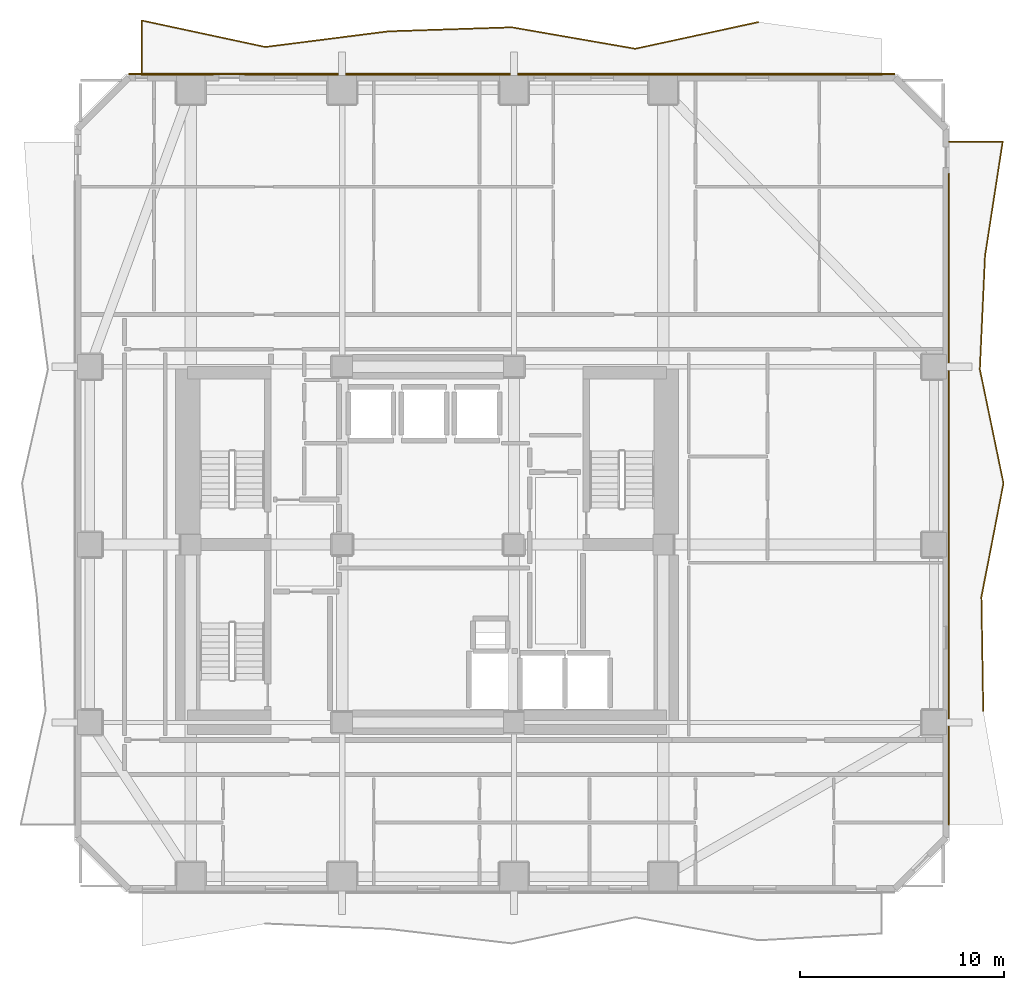
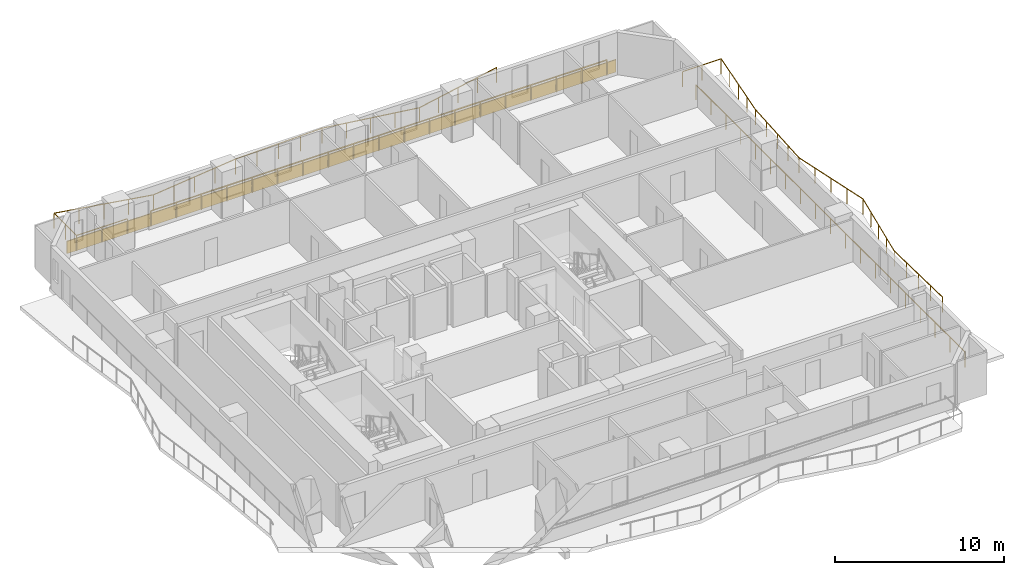
# One storey, part 11 of 11: 4 railings, 1 covering.
"""IFC4 building model written with IfcOpenShell, lengths in metres."""

from ifc_helpers import new_model, si_unit, direction, frame, frame_2d, origin, origin_2d, place, context, subcontext, project, spatial, rectangle, extrude, material, layer, layer_set, type_object, element, save


model = new_model("IFC4")

# Units and contexts
model_context = context("Model", 3, precision=1e-05, world=origin(), true_north=direction((0.0, 1.0)))
body_context = subcontext(model_context, "Body", "Model", "MODEL_VIEW")
ifc_project = project(units=[si_unit("LENGTHUNIT", "METRE"), si_unit("AREAUNIT", "SQUARE_METRE"), si_unit("VOLUMEUNIT", "CUBIC_METRE"), si_unit("PLANEANGLEUNIT", "RADIAN"), si_unit("MASSUNIT", "GRAM", prefix="KILO")], contexts=[model_context])

# Site, building, storey
site_placement = place(None, origin())
site = spatial("IfcSite", under=ifc_project, at=site_placement, CompositionType="ELEMENT")
building_placement = place(site_placement, origin())
building = spatial("IfcBuilding", under=site, at=building_placement, Name="Solanera Arch Residences", CompositionType="ELEMENT")
storey_placement = place(building_placement, frame((0.0, 0.0, 75.1201171875)))
storey = spatial("IfcBuildingStorey", under=building, at=storey_placement, Name="L21", CompositionType="ELEMENT", Elevation=75.1201171875)

# Railings
ifc_material_1 = material(Name="Steel S355 (ASTM A992 / A572 Grade 50)", Category="steel")
railing_type = type_object("IfcRailingType", Name="Balustrade Railing BL-1100", PredefinedType="BALUSTRADE", material=ifc_material_1)
railing_1_placement = place(storey_placement, frame((41.1669921875, 56.259033203125, 0.0)))
element("IfcRailing", 1, at=railing_1_placement, inside=storey, type_object=railing_type, Name="L21 N Balcony Balustrade 1", PredefinedType="BALUSTRADE", context=body_context, shape_type="SweptSolid", body=[
    extrude(rectangle(XDim=0.048095703125, YDim=0.048095703125, at=origin_2d()), frame((0.0, 0.0, 1.09619140625), z_axis=(-0.977404229313, -0.211378741885, 0.0), x_axis=(0.211378741885, -0.977404229313, 0.0)), (0.0, 0.0, 1.0), 6.17333984375),
    extrude(rectangle(XDim=0.048095703125, YDim=0.048095703125, at=origin_2d()), frame((-6.033935546875, -1.304931640625, 1.09619140625), z_axis=(-0.98522228736, 0.171280601615, 0.0), x_axis=(-0.171280601615, -0.98522228736, 0.0)), (0.0, 0.0, 1.0), 6.12353515625),
    extrude(rectangle(XDim=0.048095703125, YDim=0.048095703125, at=origin_2d()), frame((-12.06689453125, -0.256103515625, 1.09619140625), z_axis=(-0.999467212416, -0.0326388006, 0.0), x_axis=(0.0326388006, -0.999467212416, 0.0)), (0.0, 0.0, 1.0), 6.036376953125),
    extrude(rectangle(XDim=0.048095703125, YDim=0.048095703125, at=origin_2d()), frame((-18.10009765625, -0.453125, 1.09619140625), z_axis=(-0.99204081397, -0.125916732083, 0.0), x_axis=(0.125916732083, -0.99204081397, 0.0)), (0.0, 0.0, 1.0), 6.082275390625),
    extrude(rectangle(XDim=0.048095703125, YDim=0.048095703125, at=origin_2d()), frame((-24.134033203125, -1.218994140625, 1.09619140625), z_axis=(-0.977763601424, 0.209710132635, 0.0), x_axis=(-0.209710132635, -0.977763601424, 0.0)), (0.0, 0.0, 1.0), 6.170166015625),
    extrude(rectangle(XDim=0.048095703125, YDim=0.048095703125, at=origin_2d()), frame((-30.1669921875, 0.074951171875, 1.09619140625), z_axis=(0.0, -1.0, 0.0), x_axis=(1.0, 0.0, 0.0)), (0.0, 0.0, 1.0), 2.654052734375),
    extrude(rectangle(XDim=0.048095703125, YDim=0.048095703125, at=origin_2d()), frame((-30.1669921875, -2.5791015625, 1.09619140625), z_axis=(1.0, 0.0, 0.0), x_axis=(0.0, 1.0, 0.0)), (0.0, 0.0, 1.0), 3.468017578125),
    extrude(rectangle(XDim=0.0419921875, YDim=0.0419921875, at=origin_2d()), origin(), (0.0, 0.0, 1.0), 1.072021484375),
    extrude(rectangle(XDim=0.0419921875, YDim=0.0419921875, at=origin_2d()), frame((-1.508544921875, -0.326171875, 0.0)), (0.0, 0.0, 1.0), 1.072021484375),
    extrude(rectangle(XDim=0.0419921875, YDim=0.0419921875, at=origin_2d()), frame((-3.01708984375, -0.65234375, 0.0)), (0.0, 0.0, 1.0), 1.072021484375),
    extrude(rectangle(XDim=0.0419921875, YDim=0.0419921875, at=origin_2d()), frame((-4.525390625, -0.978759765625, 0.0)), (0.0, 0.0, 1.0), 1.072021484375),
    extrude(rectangle(XDim=0.0419921875, YDim=0.0419921875, at=origin_2d()), frame((-6.033935546875, -1.304931640625, 0.0)), (0.0, 0.0, 1.0), 1.072021484375),
    extrude(rectangle(XDim=0.0419921875, YDim=0.0419921875, at=origin_2d()), frame((-7.542236328125, -1.042724609375, 0.0)), (0.0, 0.0, 1.0), 1.072021484375),
    extrude(rectangle(XDim=0.0419921875, YDim=0.0419921875, at=origin_2d()), frame((-9.05029296875, -0.780517578125, 0.0)), (0.0, 0.0, 1.0), 1.072021484375),
    extrude(rectangle(XDim=0.0419921875, YDim=0.0419921875, at=origin_2d()), frame((-10.55859375, -0.518310546875, 0.0)), (0.0, 0.0, 1.0), 1.072021484375),
    extrude(rectangle(XDim=0.0419921875, YDim=0.0419921875, at=origin_2d()), frame((-12.06689453125, -0.256103515625, 0.0)), (0.0, 0.0, 1.0), 1.072021484375),
    extrude(rectangle(XDim=0.0419921875, YDim=0.0419921875, at=origin_2d()), frame((-13.5751953125, -0.305419921875, 0.0)), (0.0, 0.0, 1.0), 1.072021484375),
    extrude(rectangle(XDim=0.0419921875, YDim=0.0419921875, at=origin_2d()), frame((-15.08349609375, -0.3544921875, 0.0)), (0.0, 0.0, 1.0), 1.072021484375),
    extrude(rectangle(XDim=0.0419921875, YDim=0.0419921875, at=origin_2d()), frame((-16.591796875, -0.40380859375, 0.0)), (0.0, 0.0, 1.0), 1.072021484375),
    extrude(rectangle(XDim=0.0419921875, YDim=0.0419921875, at=origin_2d()), frame((-18.10009765625, -0.453125, 0.0)), (0.0, 0.0, 1.0), 1.072021484375),
    extrude(rectangle(XDim=0.0419921875, YDim=0.0419921875, at=origin_2d()), frame((-19.608642578125, -0.64453125, 0.0)), (0.0, 0.0, 1.0), 1.072021484375),
    extrude(rectangle(XDim=0.0419921875, YDim=0.0419921875, at=origin_2d()), frame((-21.1171875, -0.8359375, 0.0)), (0.0, 0.0, 1.0), 1.072021484375),
    extrude(rectangle(XDim=0.0419921875, YDim=0.0419921875, at=origin_2d()), frame((-22.62548828125, -1.027587890625, 0.0)), (0.0, 0.0, 1.0), 1.072021484375),
    extrude(rectangle(XDim=0.0419921875, YDim=0.0419921875, at=origin_2d()), frame((-24.134033203125, -1.218994140625, 0.0)), (0.0, 0.0, 1.0), 1.072021484375),
    extrude(rectangle(XDim=0.0419921875, YDim=0.0419921875, at=origin_2d()), frame((-25.642333984375, -0.8955078125, 0.0)), (0.0, 0.0, 1.0), 1.072021484375),
    extrude(rectangle(XDim=0.0419921875, YDim=0.0419921875, at=origin_2d()), frame((-27.150390625, -0.572021484375, 0.0)), (0.0, 0.0, 1.0), 1.072021484375),
    extrude(rectangle(XDim=0.0419921875, YDim=0.0419921875, at=origin_2d()), frame((-28.65869140625, -0.24853515625, 0.0)), (0.0, 0.0, 1.0), 1.072021484375),
    extrude(rectangle(XDim=0.0419921875, YDim=0.0419921875, at=origin_2d()), frame((-30.1669921875, 0.074951171875, 0.0)), (0.0, 0.0, 1.0), 1.072021484375),
    extrude(rectangle(XDim=0.0419921875, YDim=0.0419921875, at=origin_2d()), frame((-30.1669921875, -1.251953125, 0.0)), (0.0, 0.0, 1.0), 1.072021484375),
    extrude(rectangle(XDim=0.0419921875, YDim=0.0419921875, at=origin_2d()), frame((-30.1669921875, -2.5791015625, 0.0)), (0.0, 0.0, 1.0), 1.072021484375),
    extrude(rectangle(XDim=0.0419921875, YDim=0.0419921875, at=origin_2d()), frame((-28.43310546875, -2.5791015625, 0.0)), (0.0, 0.0, 1.0), 1.072021484375),
    extrude(rectangle(XDim=0.0419921875, YDim=0.0419921875, at=origin_2d()), frame((-26.698974609375, -2.5791015625, 0.0)), (0.0, 0.0, 1.0), 1.072021484375),
])
railing_2_placement = place(storey_placement, frame((16.068115234375, 53.679931640625, 0.0)))
element("IfcRailing", 2, at=railing_2_placement, inside=storey, type_object=railing_type, Name="L21 N Balcony Balustrade 2", PredefinedType="BALUSTRADE", context=body_context, shape_type="SweptSolid", body=[
    extrude(rectangle(XDim=0.048095703125, YDim=0.048095703125, at=origin_2d()), frame((0.0, 0.0, 1.09619140625), z_axis=(1.0, 0.0, 0.0), x_axis=(0.0, 1.0, 0.0)), (0.0, 0.0, 1.0), 31.1318359375),
    extrude(rectangle(XDim=0.0419921875, YDim=0.0419921875, at=origin_2d()), origin(), (0.0, 0.0, 1.0), 1.072021484375),
    extrude(rectangle(XDim=0.0419921875, YDim=0.0419921875, at=origin_2d()), frame((1.7294921875, 0.0, 0.0)), (0.0, 0.0, 1.0), 1.072021484375),
    extrude(rectangle(XDim=0.0419921875, YDim=0.0419921875, at=origin_2d()), frame((3.458984375, 0.0, 0.0)), (0.0, 0.0, 1.0), 1.072021484375),
    extrude(rectangle(XDim=0.0419921875, YDim=0.0419921875, at=origin_2d()), frame((5.188720703125, 0.0, 0.0)), (0.0, 0.0, 1.0), 1.072021484375),
    extrude(rectangle(XDim=0.0419921875, YDim=0.0419921875, at=origin_2d()), frame((6.918212890625, 0.0, 0.0)), (0.0, 0.0, 1.0), 1.072021484375),
    extrude(rectangle(XDim=0.0419921875, YDim=0.0419921875, at=origin_2d()), frame((8.647705078125, 0.0, 0.0)), (0.0, 0.0, 1.0), 1.072021484375),
    extrude(rectangle(XDim=0.0419921875, YDim=0.0419921875, at=origin_2d()), frame((10.377197265625, 0.0, 0.0)), (0.0, 0.0, 1.0), 1.072021484375),
    extrude(rectangle(XDim=0.0419921875, YDim=0.0419921875, at=origin_2d()), frame((12.10693359375, 0.0, 0.0)), (0.0, 0.0, 1.0), 1.072021484375),
    extrude(rectangle(XDim=0.0419921875, YDim=0.0419921875, at=origin_2d()), frame((13.83642578125, 0.0, 0.0)), (0.0, 0.0, 1.0), 1.072021484375),
    extrude(rectangle(XDim=0.0419921875, YDim=0.0419921875, at=origin_2d()), frame((15.56591796875, 0.0, 0.0)), (0.0, 0.0, 1.0), 1.072021484375),
    extrude(rectangle(XDim=0.0419921875, YDim=0.0419921875, at=origin_2d()), frame((17.29541015625, 0.0, 0.0)), (0.0, 0.0, 1.0), 1.072021484375),
    extrude(rectangle(XDim=0.0419921875, YDim=0.0419921875, at=origin_2d()), frame((19.02490234375, 0.0, 0.0)), (0.0, 0.0, 1.0), 1.072021484375),
    extrude(rectangle(XDim=0.0419921875, YDim=0.0419921875, at=origin_2d()), frame((20.754638671875, 0.0, 0.0)), (0.0, 0.0, 1.0), 1.072021484375),
    extrude(rectangle(XDim=0.0419921875, YDim=0.0419921875, at=origin_2d()), frame((22.484130859375, 0.0, 0.0)), (0.0, 0.0, 1.0), 1.072021484375),
    extrude(rectangle(XDim=0.0419921875, YDim=0.0419921875, at=origin_2d()), frame((24.213623046875, 0.0, 0.0)), (0.0, 0.0, 1.0), 1.072021484375),
    extrude(rectangle(XDim=0.0419921875, YDim=0.0419921875, at=origin_2d()), frame((25.943115234375, 0.0, 0.0)), (0.0, 0.0, 1.0), 1.072021484375),
    extrude(rectangle(XDim=0.0419921875, YDim=0.0419921875, at=origin_2d()), frame((27.6728515625, 0.0, 0.0)), (0.0, 0.0, 1.0), 1.072021484375),
    extrude(rectangle(XDim=0.0419921875, YDim=0.0419921875, at=origin_2d()), frame((29.40234375, 0.0, 0.0)), (0.0, 0.0, 1.0), 1.072021484375),
    extrude(rectangle(XDim=0.0419921875, YDim=0.0419921875, at=origin_2d()), frame((31.1318359375, 0.0, 0.0)), (0.0, 0.0, 1.0), 1.072021484375),
])
railing_3_placement = place(storey_placement, frame((52.159912109375, 22.56689453125, 0.0)))
element("IfcRailing", 3, at=railing_3_placement, inside=storey, type_object=railing_type, Name="L21 E Balcony Balustrade 1", PredefinedType="BALUSTRADE", context=body_context, shape_type="SweptSolid", body=[
    extrude(rectangle(XDim=0.048095703125, YDim=0.048095703125, at=origin_2d()), frame((0.0, 0.0, 1.09619140625), z_axis=(-0.016314333585, 0.999866912404, 0.0), x_axis=(-0.999866912404, -0.016314333585, 0.0)), (0.0, 0.0, 1.0), 5.56689453125),
    extrude(rectangle(XDim=0.048095703125, YDim=0.048095703125, at=origin_2d()), frame((-0.0908203125, 5.566162109375, 1.09619140625), z_axis=(0.190258853193, 0.981733960287, 0.0), x_axis=(-0.981733960287, 0.190258853193, 0.0)), (0.0, 0.0, 1.0), 5.67041015625),
    extrude(rectangle(XDim=0.048095703125, YDim=0.048095703125, at=origin_2d()), frame((0.988037109375, 11.133056640625, 1.09619140625), z_axis=(-0.203146551472, 0.979148343524, 0.0), x_axis=(-0.979148343524, -0.203146551472, 0.0)), (0.0, 0.0, 1.0), 5.685791015625),
    extrude(rectangle(XDim=0.048095703125, YDim=0.048095703125, at=origin_2d()), frame((-0.1669921875, 16.7001953125, 1.09619140625), z_axis=(0.045614371737, 0.998959122833, 0.0), x_axis=(-0.998959122833, 0.045614371737, 0.0)), (0.0, 0.0, 1.0), 5.57177734375),
    extrude(rectangle(XDim=0.048095703125, YDim=0.048095703125, at=origin_2d()), frame((0.087158203125, 22.26611328125, 1.09619140625), z_axis=(0.152988540853, 0.988227962753, 0.0), x_axis=(-0.988227962753, 0.152988540853, 0.0)), (0.0, 0.0, 1.0), 5.63330078125),
    extrude(rectangle(XDim=0.048095703125, YDim=0.048095703125, at=origin_2d()), frame((0.948974609375, 27.8330078125, 1.09619140625), z_axis=(-1.0, 0.0, 0.0), x_axis=(0.0, -1.0, 0.0)), (0.0, 0.0, 1.0), 2.62890625),
    extrude(rectangle(XDim=0.0419921875, YDim=0.0419921875, at=origin_2d()), origin(), (0.0, 0.0, 1.0), 1.072021484375),
    extrude(rectangle(XDim=0.0419921875, YDim=0.0419921875, at=origin_2d()), frame((-0.022705078125, 1.3916015625, 0.0)), (0.0, 0.0, 1.0), 1.072021484375),
    extrude(rectangle(XDim=0.0419921875, YDim=0.0419921875, at=origin_2d()), frame((-0.04541015625, 2.783203125, 0.0)), (0.0, 0.0, 1.0), 1.072021484375),
    extrude(rectangle(XDim=0.0419921875, YDim=0.0419921875, at=origin_2d()), frame((-0.068115234375, 4.174560546875, 0.0)), (0.0, 0.0, 1.0), 1.072021484375),
    extrude(rectangle(XDim=0.0419921875, YDim=0.0419921875, at=origin_2d()), frame((-0.0908203125, 5.566162109375, 0.0)), (0.0, 0.0, 1.0), 1.072021484375),
    extrude(rectangle(XDim=0.0419921875, YDim=0.0419921875, at=origin_2d()), frame((0.178955078125, 6.9580078125, 0.0)), (0.0, 0.0, 1.0), 1.072021484375),
    extrude(rectangle(XDim=0.0419921875, YDim=0.0419921875, at=origin_2d()), frame((0.44873046875, 8.349609375, 0.0)), (0.0, 0.0, 1.0), 1.072021484375),
    extrude(rectangle(XDim=0.0419921875, YDim=0.0419921875, at=origin_2d()), frame((0.71826171875, 9.7412109375, 0.0)), (0.0, 0.0, 1.0), 1.072021484375),
    extrude(rectangle(XDim=0.0419921875, YDim=0.0419921875, at=origin_2d()), frame((0.988037109375, 11.133056640625, 0.0)), (0.0, 0.0, 1.0), 1.072021484375),
    extrude(rectangle(XDim=0.0419921875, YDim=0.0419921875, at=origin_2d()), frame((0.69921875, 12.52490234375, 0.0)), (0.0, 0.0, 1.0), 1.072021484375),
    extrude(rectangle(XDim=0.0419921875, YDim=0.0419921875, at=origin_2d()), frame((0.41064453125, 13.91650390625, 0.0)), (0.0, 0.0, 1.0), 1.072021484375),
    extrude(rectangle(XDim=0.0419921875, YDim=0.0419921875, at=origin_2d()), frame((0.121826171875, 15.308349609375, 0.0)), (0.0, 0.0, 1.0), 1.072021484375),
    extrude(rectangle(XDim=0.0419921875, YDim=0.0419921875, at=origin_2d()), frame((-0.1669921875, 16.7001953125, 0.0)), (0.0, 0.0, 1.0), 1.072021484375),
    extrude(rectangle(XDim=0.0419921875, YDim=0.0419921875, at=origin_2d()), frame((-0.103515625, 18.091796875, 0.0)), (0.0, 0.0, 1.0), 1.072021484375),
    extrude(rectangle(XDim=0.0419921875, YDim=0.0419921875, at=origin_2d()), frame((-0.0400390625, 19.483154296875, 0.0)), (0.0, 0.0, 1.0), 1.072021484375),
    extrude(rectangle(XDim=0.0419921875, YDim=0.0419921875, at=origin_2d()), frame((0.023681640625, 20.87451171875, 0.0)), (0.0, 0.0, 1.0), 1.072021484375),
    extrude(rectangle(XDim=0.0419921875, YDim=0.0419921875, at=origin_2d()), frame((0.087158203125, 22.26611328125, 0.0)), (0.0, 0.0, 1.0), 1.072021484375),
    extrude(rectangle(XDim=0.0419921875, YDim=0.0419921875, at=origin_2d()), frame((0.302734375, 23.65771484375, 0.0)), (0.0, 0.0, 1.0), 1.072021484375),
    extrude(rectangle(XDim=0.0419921875, YDim=0.0419921875, at=origin_2d()), frame((0.51806640625, 25.049560546875, 0.0)), (0.0, 0.0, 1.0), 1.072021484375),
    extrude(rectangle(XDim=0.0419921875, YDim=0.0419921875, at=origin_2d()), frame((0.7333984375, 26.44140625, 0.0)), (0.0, 0.0, 1.0), 1.072021484375),
    extrude(rectangle(XDim=0.0419921875, YDim=0.0419921875, at=origin_2d()), frame((0.948974609375, 27.8330078125, 0.0)), (0.0, 0.0, 1.0), 1.072021484375),
    extrude(rectangle(XDim=0.0419921875, YDim=0.0419921875, at=origin_2d()), frame((-0.365478515625, 27.8330078125, 0.0)), (0.0, 0.0, 1.0), 1.072021484375),
    extrude(rectangle(XDim=0.0419921875, YDim=0.0419921875, at=origin_2d()), frame((-1.679931640625, 27.8330078125, 0.0)), (0.0, 0.0, 1.0), 1.072021484375),
])
railing_4_placement = place(storey_placement, frame((50.47998046875, 48.833984375, 0.0)))
element("IfcRailing", 4, at=railing_4_placement, inside=storey, type_object=railing_type, Name="L21 E Balcony Balustrade 2", PredefinedType="BALUSTRADE", context=body_context, shape_type="SweptSolid", body=[
    extrude(rectangle(XDim=0.048095703125, YDim=0.048095703125, at=origin_2d()), frame((0.0, 0.0, 1.09619140625), z_axis=(0.0, -1.0, 0.0), x_axis=(1.0, 0.0, 0.0)), (0.0, 0.0, 1.0), 31.833984375),
    extrude(rectangle(XDim=0.0419921875, YDim=0.0419921875, at=origin_2d()), origin(), (0.0, 0.0, 1.0), 1.072021484375),
    extrude(rectangle(XDim=0.0419921875, YDim=0.0419921875, at=origin_2d()), frame((0.0, -1.7685546875, 0.0)), (0.0, 0.0, 1.0), 1.072021484375),
    extrude(rectangle(XDim=0.0419921875, YDim=0.0419921875, at=origin_2d()), frame((0.0, -3.537109375, 0.0)), (0.0, 0.0, 1.0), 1.072021484375),
    extrude(rectangle(XDim=0.0419921875, YDim=0.0419921875, at=origin_2d()), frame((0.0, -5.3056640625, 0.0)), (0.0, 0.0, 1.0), 1.072021484375),
    extrude(rectangle(XDim=0.0419921875, YDim=0.0419921875, at=origin_2d()), frame((0.0, -7.07421875, 0.0)), (0.0, 0.0, 1.0), 1.072021484375),
    extrude(rectangle(XDim=0.0419921875, YDim=0.0419921875, at=origin_2d()), frame((0.0, -8.8427734375, 0.0)), (0.0, 0.0, 1.0), 1.072021484375),
    extrude(rectangle(XDim=0.0419921875, YDim=0.0419921875, at=origin_2d()), frame((0.0, -10.611328125, 0.0)), (0.0, 0.0, 1.0), 1.072021484375),
    extrude(rectangle(XDim=0.0419921875, YDim=0.0419921875, at=origin_2d()), frame((0.0, -12.3798828125, 0.0)), (0.0, 0.0, 1.0), 1.072021484375),
    extrude(rectangle(XDim=0.0419921875, YDim=0.0419921875, at=origin_2d()), frame((0.0, -14.1484375, 0.0)), (0.0, 0.0, 1.0), 1.072021484375),
    extrude(rectangle(XDim=0.0419921875, YDim=0.0419921875, at=origin_2d()), frame((0.0, -15.9169921875, 0.0)), (0.0, 0.0, 1.0), 1.072021484375),
    extrude(rectangle(XDim=0.0419921875, YDim=0.0419921875, at=origin_2d()), frame((0.0, -17.685546875, 0.0)), (0.0, 0.0, 1.0), 1.072021484375),
    extrude(rectangle(XDim=0.0419921875, YDim=0.0419921875, at=origin_2d()), frame((0.0, -19.4541015625, 0.0)), (0.0, 0.0, 1.0), 1.072021484375),
    extrude(rectangle(XDim=0.0419921875, YDim=0.0419921875, at=origin_2d()), frame((0.0, -21.22265625, 0.0)), (0.0, 0.0, 1.0), 1.072021484375),
    extrude(rectangle(XDim=0.0419921875, YDim=0.0419921875, at=origin_2d()), frame((0.0, -22.9912109375, 0.0)), (0.0, 0.0, 1.0), 1.072021484375),
    extrude(rectangle(XDim=0.0419921875, YDim=0.0419921875, at=origin_2d()), frame((0.0, -24.759765625, 0.0)), (0.0, 0.0, 1.0), 1.072021484375),
    extrude(rectangle(XDim=0.0419921875, YDim=0.0419921875, at=origin_2d()), frame((0.0, -26.5283203125, 0.0)), (0.0, 0.0, 1.0), 1.072021484375),
    extrude(rectangle(XDim=0.0419921875, YDim=0.0419921875, at=origin_2d()), frame((0.0, -28.296875, 0.0)), (0.0, 0.0, 1.0), 1.072021484375),
    extrude(rectangle(XDim=0.0419921875, YDim=0.0419921875, at=origin_2d()), frame((0.0, -30.0654296875, 0.0)), (0.0, 0.0, 1.0), 1.072021484375),
    extrude(rectangle(XDim=0.0419921875, YDim=0.0419921875, at=origin_2d()), frame((0.0, -31.833984375, 0.0)), (0.0, 0.0, 1.0), 1.072021484375),
])

# Covering
ifc_material_2 = material(Name="Philippine Adobe Travertine Cladding", Category="masonry")
ifc_layer = layer(ifc_material_2, 0.06005859375)
ifc_layer_set = layer_set([ifc_layer], Name="Philippine Adobe Travertine Cladding")
covering_type = type_object("IfcCoveringType", Name="Precast Pier Stone Cladding CLD-60", PredefinedType="CLADDING", material=ifc_layer_set)
covering_placement = place(storey_placement, frame((10.364990234375, 53.715087890625, 0.0), z_axis=(0.0, 0.0, 1.0), x_axis=(1.0, 0.0, 0.0)))
element("IfcCovering", 5, at=covering_placement, inside=storey, type_object=covering_type, Name="L21 N Precast Spandrel Stone Band", PredefinedType="CLADDING", context=body_context, shape_type="SweptSolid", body=[
    extrude(rectangle(XDim=37.469970703125, YDim=0.06005859375, at=frame_2d((18.73486328125, 0.0))), origin(), (0.0, 0.0, 1.0), 0.89990234375),
])

save(model, "model.ifc")
